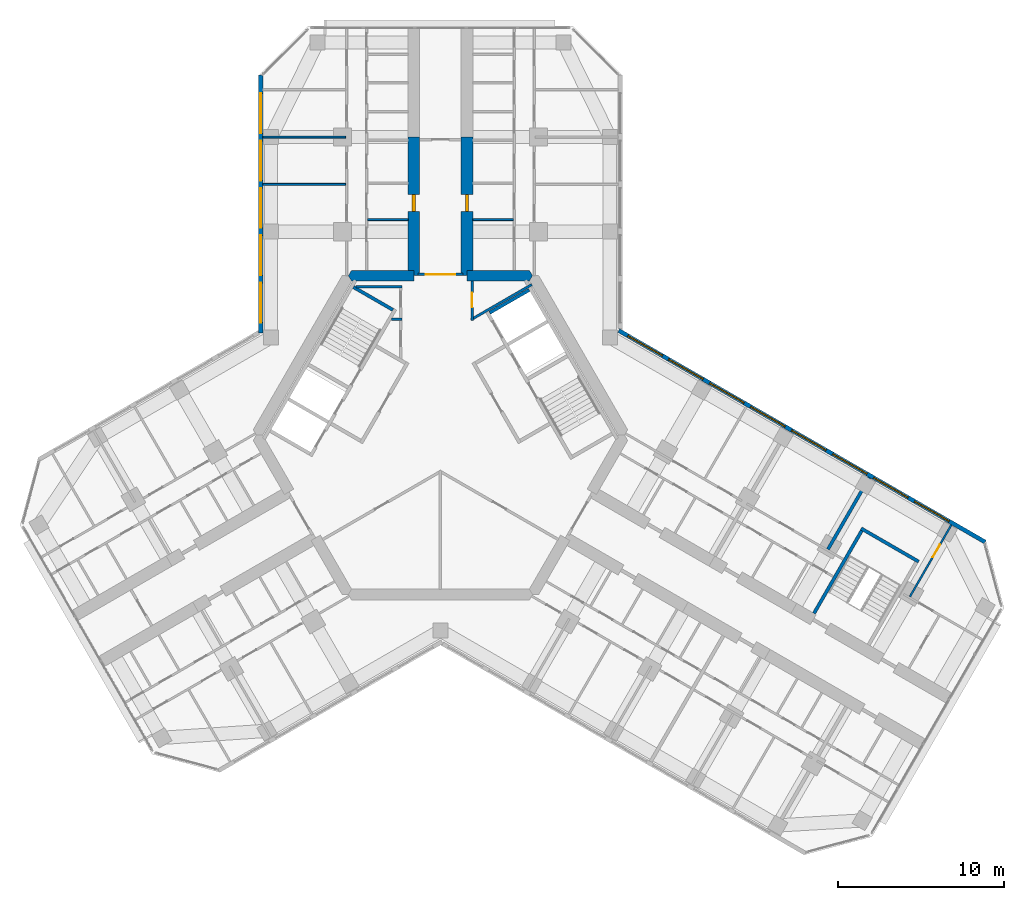
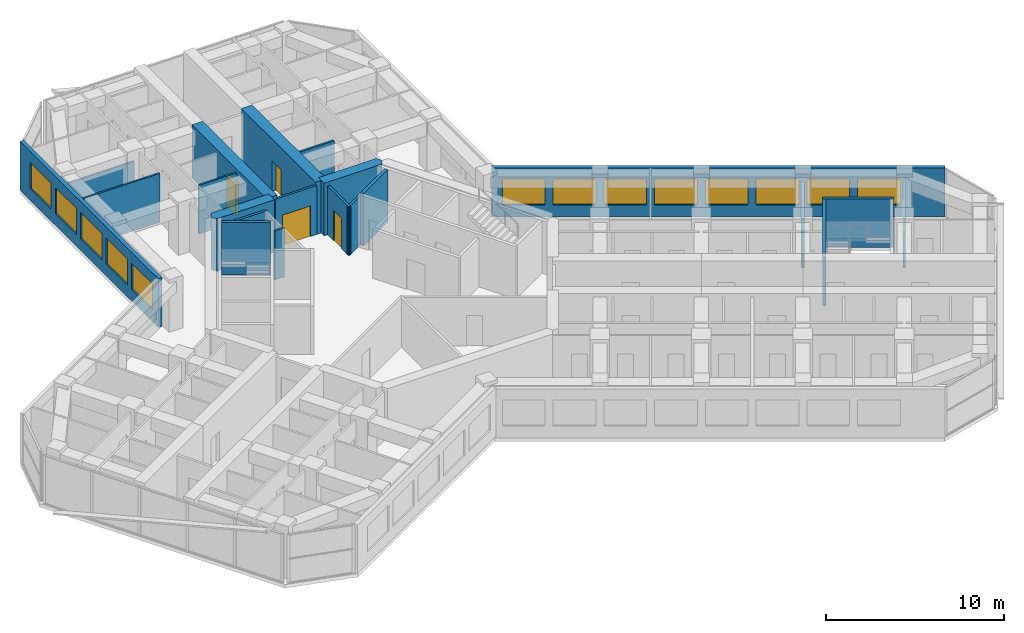
# One storey, part 13 of 16: 21 walls, 13 windows, 5 doors, 18 openings.
"""IFC4 building model written with IfcOpenShell, lengths in metres."""

from ifc_helpers import new_model, si_unit, direction, frame, frame_2d, origin, place, context, subcontext, project, spatial, polyline, rectangle, outline, extrude, material, layer, layer_set, type_object, element, fill, save


model = new_model("IFC4")

# Units and contexts
model_context = context("Model", 3, precision=1e-05, world=origin(), true_north=direction((0.0, 1.0)))
body_context = subcontext(model_context, "Body", "Model", "MODEL_VIEW")
ifc_project = project(units=[si_unit("LENGTHUNIT", "METRE"), si_unit("AREAUNIT", "SQUARE_METRE"), si_unit("VOLUMEUNIT", "CUBIC_METRE"), si_unit("PLANEANGLEUNIT", "RADIAN"), si_unit("MASSUNIT", "GRAM", prefix="KILO")], contexts=[model_context])

# Site, building, storey
site_placement = place(None, origin())
site = spatial("IfcSite", under=ifc_project, at=site_placement, CompositionType="ELEMENT")
building_placement = place(site_placement, origin())
building = spatial("IfcBuilding", under=site, at=building_placement, Name="Kosmar Iwan School Tower", CompositionType="ELEMENT")
storey_placement = place(building_placement, frame((0.0, 0.0, 208.199951171875)))
storey = spatial("IfcBuildingStorey", under=building, at=storey_placement, Name="L52", CompositionType="ELEMENT", Elevation=208.199951171875)

# Walls
ifc_material_1 = material(Name="Gypsum board on steel studs, fire-rated", Category="steel")
ifc_layer_1 = layer(ifc_material_1, 0.14990234375)
ifc_layer_set_1 = layer_set([ifc_layer_1], Name="Core room partition 150")
wall_type_1 = type_object("IfcWallType", Name="Core room partition 150", PredefinedType="PARTITIONING", material=ifc_layer_set_1)
wall_1_placement = place(storey_placement, frame((-2.324951171875, 6.985107421875, 0.0), z_axis=(0.0, 0.0, 1.0), x_axis=(-1.0, 0.0, 0.0)))
element("IfcWall", 1, at=wall_1_placement, inside=storey, type_object=wall_type_1, Name="Core room partition L52-CW2", PredefinedType="PARTITIONING", context=body_context, shape_type="SweptSolid", body=[
    extrude(rectangle(XDim=0.623779296875, YDim=0.14990234375, at=frame_2d((0.31201171875, 0.0))), origin(), (0.0, 0.0, 1.0), 3.35009765625),
])
wall_2_placement = place(storey_placement, frame((-5.089599609375, 8.93994140625, 0.0), z_axis=(0.0, 0.0, 1.0), x_axis=(1.0, 0.0, 0.0)))
element("IfcWall", 2, at=wall_2_placement, inside=storey, type_object=wall_type_1, Name="Core room partition L52-CW3", PredefinedType="PARTITIONING", context=body_context, shape_type="SweptSolid", body=[
    extrude(rectangle(XDim=2.7646484375, YDim=0.14990234375, at=frame_2d((1.38232421875, 0.0))), origin(), (0.0, 0.0, 1.0), 3.35009765625),
])
wall_3_placement = place(storey_placement, frame((5.499755859375, 9.064208984375, 0.0), z_axis=(0.0, 0.0, 1.0), x_axis=(-0.866040514841, -0.499973825969, 0.0)))
element("IfcWall", 3, at=wall_3_placement, inside=storey, type_object=wall_type_1, Name="Core room partition L52-CW8", PredefinedType="PARTITIONING", context=body_context, shape_type="SweptSolid", body=[
    extrude(rectangle(XDim=4.231689453125, YDim=0.14990234375, at=frame_2d((2.11572265625, 0.0))), origin(), (0.0, 0.0, 1.0), 3.35009765625),
])

# Wall, opening, door
wall_4_placement = place(storey_placement, frame((1.89990234375, 6.910888671875, 0.0), z_axis=(0.0, 0.0, 1.0), x_axis=(0.0, 1.0, 0.0)))
wall_4 = element("IfcWall", 4, at=wall_4_placement, inside=storey, type_object=wall_type_1, Name="Core room partition L52-CW9", PredefinedType="PARTITIONING", context=body_context, shape_type="SweptSolid", body=[
    extrude(rectangle(XDim=2.384033203125, YDim=0.14990234375, at=frame_2d((1.19189453125, 0.0))), origin(), (0.0, 0.0, 1.0), 3.35009765625),
])
opening_1_placement = place(wall_4_placement, frame((0.777099609375, 0.0, 0.0)))
opening_1 = element("IfcOpeningElement", 5, at=opening_1_placement, cuts=wall_4, Name="Opening D14", PredefinedType="OPENING", context=body_context, shape_type="SweptSolid", body=[
    extrude(rectangle(XDim=0.89990234375, YDim=2.10009765625, at=frame_2d((0.449951171875, 1.050048828125))), frame((0.0, 0.0869140625, 0.0), z_axis=(0.0, -1.0, 0.0), x_axis=(1.0, 0.0, 0.0)), (0.0, 0.0, 1.0), 0.173828125),
])
ifc_material_2 = material(Name="Timber fire door in steel frame", Category="steel")
door_type_1 = type_object("IfcDoorType", Name="Core room door 900x2100", OperationType="SINGLE_SWING_LEFT", PredefinedType="DOOR", material=ifc_material_2)
door_1_placement = place(opening_1_placement, origin())
door_1 = element("IfcDoor", 6, at=door_1_placement, inside=storey, type_object=door_type_1, Name="Cleaner's store door L52 5", OperationType="SINGLE_SWING_RIGHT", OverallHeight=2.10009765625, OverallWidth=0.89990234375, PredefinedType="DOOR", context=body_context, shape_type="SweptSolid", body=[
    extrude(rectangle(XDim=0.89990234375, YDim=2.10009765625, at=frame_2d((0.449951171875, 1.050048828125))), frame((0.0, 0.02490234375, 0.0), z_axis=(0.0, -1.0, 0.0), x_axis=(1.0, 0.0, 0.0)), (0.0, 0.0, 1.0), 0.050048828125),
])
fill(opening_1, door_1)

# Walls
ifc_material_3 = material(Name="Concrete C50/60", Category="concrete")
ifc_layer_2 = layer(ifc_material_3, 0.64990234375)
ifc_layer_set_2 = layer_set([ifc_layer_2], Name="Core wall 650")
wall_type_2 = type_object("IfcWallType", Name="Core wall 650", PredefinedType="SHEAR", material=ifc_layer_set_2)
wall_5_placement = place(storey_placement, origin())
element("IfcWall", 7, at=wall_5_placement, inside=storey, type_object=wall_type_2, Name="Core wall F090a", PredefinedType="SHEAR", context=body_context, shape_type="SweptSolid", body=[
    extrude(outline(polyline([(1.60009765625, 9.27490234375), (5.35498046875, 9.27490234375), (5.54248046875, 9.60009765625), (5.35498046875, 9.925048828125), (1.60009765625, 9.925048828125), (1.60009765625, 9.27490234375)])), origin(), (0.0, 0.0, 1.0), 3.60009765625),
])
wall_6_placement = place(storey_placement, origin())
element("IfcWall", 8, at=wall_6_placement, inside=storey, type_object=wall_type_2, Name="Core wall F090b", PredefinedType="SHEAR", context=body_context, shape_type="SweptSolid", body=[
    extrude(outline(polyline([(-5.35498046875, 9.27490234375), (-1.60009765625, 9.27490234375), (-1.60009765625, 9.925048828125), (-5.35498046875, 9.925048828125), (-5.54248046875, 9.60009765625), (-5.35498046875, 9.27490234375)])), origin(), (0.0, 0.0, 1.0), 3.60009765625),
])

# Wall, opening, door
ifc_material_4 = material(Name="Concrete C50/60", Category="concrete")
ifc_layer_3 = layer(ifc_material_4, 0.699951171875)
ifc_layer_set_3 = layer_set([ifc_layer_3], Name="Corridor buttress wall 700")
wall_type_3 = type_object("IfcWallType", Name="Corridor buttress wall 700", PredefinedType="SHEAR", material=ifc_layer_set_3)
wall_7_placement = place(storey_placement, frame((-1.60009765625, 9.60009765625, 0.0), z_axis=(0.0, 0.0, 1.0), x_axis=(0.0, 1.0, 0.0)))
wall_7 = element("IfcWall", 9, at=wall_7_placement, inside=storey, type_object=wall_type_3, Name="Corridor wall AL", PredefinedType="SHEAR", context=body_context, shape_type="SweptSolid", body=[
    extrude(rectangle(XDim=8.349853515625, YDim=0.699951171875, at=frame_2d((4.1748046875, 0.0))), origin(), (0.0, 0.0, 1.0), 3.60009765625),
])
opening_2_placement = place(wall_7_placement, frame((3.8798828125, 0.0, 0.0)))
opening_2 = element("IfcOpeningElement", 10, at=opening_2_placement, cuts=wall_7, Name="Opening D1", PredefinedType="OPENING", context=body_context, shape_type="SweptSolid", body=[
    extrude(rectangle(XDim=1.0, YDim=2.10009765625, at=frame_2d((0.5, 1.050048828125))), frame((0.0, 0.362060546875, 0.0), z_axis=(0.0, -1.0, 0.0), x_axis=(1.0, 0.0, 0.0)), (0.0, 0.0, 1.0), 0.723876953125),
])
ifc_material_5 = material(Name="Timber fire door in steel frame", Category="steel")
door_type_2 = type_object("IfcDoorType", Name="Flat entrance door 1000x2100", OperationType="SINGLE_SWING_LEFT", PredefinedType="DOOR", material=ifc_material_5)
door_2_placement = place(opening_2_placement, origin())
door_2 = element("IfcDoor", 11, at=door_2_placement, inside=storey, type_object=door_type_2, Name="Flat L52-AL1 entrance door", OperationType="SINGLE_SWING_LEFT", OverallHeight=2.10009765625, OverallWidth=1.0, PredefinedType="DOOR", context=body_context, shape_type="SweptSolid", body=[
    extrude(rectangle(XDim=1.0, YDim=2.10009765625, at=frame_2d((0.5, 1.050048828125))), frame((0.0, 0.10009765625, 0.0), z_axis=(0.0, -1.0, 0.0), x_axis=(1.0, 0.0, 0.0)), (0.0, 0.0, 1.0), 0.199951171875),
])
fill(opening_2, door_2)

wall_8_placement = place(storey_placement, frame((1.60009765625, 9.60009765625, 0.0), z_axis=(0.0, 0.0, 1.0), x_axis=(0.0, 1.0, 0.0)))
wall_8 = element("IfcWall", 12, at=wall_8_placement, inside=storey, type_object=wall_type_3, Name="Corridor wall AR", PredefinedType="SHEAR", context=body_context, shape_type="SweptSolid", body=[
    extrude(rectangle(XDim=8.349853515625, YDim=0.699951171875, at=frame_2d((4.1748046875, 0.0))), origin(), (0.0, 0.0, 1.0), 3.60009765625),
])
opening_3_placement = place(wall_8_placement, frame((3.8798828125, 0.0, 0.0)))
opening_3 = element("IfcOpeningElement", 13, at=opening_3_placement, cuts=wall_8, Name="Opening D1", PredefinedType="OPENING", context=body_context, shape_type="SweptSolid", body=[
    extrude(rectangle(XDim=1.0, YDim=2.10009765625, at=frame_2d((0.5, 1.050048828125))), frame((0.0, 0.362060546875, 0.0), z_axis=(0.0, -1.0, 0.0), x_axis=(1.0, 0.0, 0.0)), (0.0, 0.0, 1.0), 0.723876953125),
])
door_3_placement = place(opening_3_placement, origin())
door_3 = element("IfcDoor", 14, at=door_3_placement, inside=storey, type_object=door_type_2, Name="Flat L52-AR1 entrance door", OperationType="SINGLE_SWING_RIGHT", OverallHeight=2.10009765625, OverallWidth=1.0, PredefinedType="DOOR", context=body_context, shape_type="SweptSolid", body=[
    extrude(rectangle(XDim=1.0, YDim=2.10009765625, at=frame_2d((0.5, 1.050048828125))), frame((0.0, 0.10009765625, 0.0), z_axis=(0.0, -1.0, 0.0), x_axis=(1.0, 0.0, 0.0)), (0.0, 0.0, 1.0), 0.199951171875),
])
fill(opening_3, door_3)

ifc_material_6 = material(Name="Steel framed glazed screen", Category="steel")
ifc_layer_4 = layer(ifc_material_6, 0.14990234375)
ifc_layer_set_4 = layer_set([ifc_layer_4], Name="Corridor screen wall 150")
wall_type_4 = type_object("IfcWallType", Name="Corridor screen wall 150", PredefinedType="PARTITIONING", material=ifc_layer_set_4)
wall_9_placement = place(storey_placement, frame((1.35009765625, 9.675048828125, 0.0), z_axis=(0.0, 0.0, 1.0), x_axis=(-1.0, 0.0, 0.0)))
wall_9 = element("IfcWall", 15, at=wall_9_placement, inside=storey, type_object=wall_type_4, Name="Corridor screen A L52", PredefinedType="PARTITIONING", context=body_context, shape_type="SweptSolid", body=[
    extrude(rectangle(XDim=2.7001953125, YDim=0.14990234375, at=frame_2d((1.35009765625, 0.0))), origin(), (0.0, 0.0, 1.0), 3.35009765625),
])
opening_4_placement = place(wall_9_placement, frame((0.449951171875, 0.0, 0.0)))
opening_4 = element("IfcOpeningElement", 16, at=opening_4_placement, cuts=wall_9, Name="Opening D9", PredefinedType="OPENING", context=body_context, shape_type="SweptSolid", body=[
    extrude(rectangle(XDim=1.800048828125, YDim=2.10009765625, at=frame_2d((0.89990234375, 1.050048828125))), frame((0.0, 0.0869140625, 0.0), z_axis=(0.0, -1.0, 0.0), x_axis=(1.0, 0.0, 0.0)), (0.0, 0.0, 1.0), 0.173828125),
])
ifc_material_7 = material(Name="Steel framed glazed smoke door", Category="steel")
door_type_3 = type_object("IfcDoorType", Name="Corridor smoke door pair 1800x2100", OperationType="DOUBLE_DOOR_DOUBLE_SWING", PredefinedType="DOOR", material=ifc_material_7)
door_4_placement = place(opening_4_placement, origin())
door_4 = element("IfcDoor", 17, at=door_4_placement, inside=storey, type_object=door_type_3, Name="Corridor doors A L52", OperationType="DOUBLE_DOOR_DOUBLE_SWING", OverallHeight=2.10009765625, OverallWidth=1.800048828125, PredefinedType="DOOR", context=body_context, shape_type="SweptSolid", body=[
    extrude(rectangle(XDim=1.800048828125, YDim=2.10009765625, at=frame_2d((0.89990234375, 1.050048828125))), frame((0.0, 0.02490234375, 0.0), z_axis=(0.0, -1.0, 0.0), x_axis=(1.0, 0.0, 0.0)), (0.0, 0.0, 1.0), 0.050048828125),
])
fill(opening_4, door_4)

# Walls
ifc_material_8 = material(Name="Gypsum board on steel studs", Category="steel")
ifc_layer_5 = layer(ifc_material_8, 0.1201171875)
ifc_layer_set_5 = layer_set([ifc_layer_5], Name="Dwelling partition 120")
wall_type_5 = type_object("IfcWallType", Name="Dwelling partition 120", PredefinedType="PARTITIONING", material=ifc_layer_set_5)
wall_10_placement = place(storey_placement, frame((-5.7099609375, 15.10009765625, 0.0), z_axis=(0.0, 0.0, 1.0), x_axis=(-1.0, 0.0, 0.0)))
element("IfcWall", 18, at=wall_10_placement, inside=storey, type_object=wall_type_5, Name="Partition L52-AL1-X1", PredefinedType="PARTITIONING", context=body_context, shape_type="SweptSolid", body=[
    extrude(rectangle(XDim=4.989990234375, YDim=0.1201171875, at=frame_2d((2.4951171875, 0.0))), origin(), (0.0, 0.0, 1.0), 3.35009765625),
])
wall_11_placement = place(storey_placement, frame((-5.7099609375, 17.949951171875, 0.0), z_axis=(0.0, 0.0, 1.0), x_axis=(-1.0, 0.0, 0.0)))
element("IfcWall", 19, at=wall_11_placement, inside=storey, type_object=wall_type_5, Name="Partition L52-AL1-X2", PredefinedType="PARTITIONING", context=body_context, shape_type="SweptSolid", body=[
    extrude(rectangle(XDim=4.989990234375, YDim=0.1201171875, at=frame_2d((2.4951171875, 0.0))), origin(), (0.0, 0.0, 1.0), 2.449951171875),
])
for number, where, z_axis, x_axis, name in (
    (20, (-1.949951171875, 12.97998046875, 0.0), (0.0, 0.0, 1.0), (-1.0, 0.0, 0.0), "Partition L52-AL1-Y1"),
    (21, (1.949951171875, 12.97998046875, 0.0), (0.0, 0.0, 1.0), (1.0, 0.0, 0.0), "Partition L52-AR1-Y1"),
):
    element("IfcWall", number, at=place(storey_placement, frame(where, z_axis=z_axis, x_axis=x_axis)), inside=storey, type_object=wall_type_5, Name=name, PredefinedType="PARTITIONING", context=body_context, shape_type="SweptSolid", body=[
        extrude(rectangle(XDim=2.43994140625, YDim=0.1201171875, at=frame_2d((1.219970703125, 0.0))), origin(), (0.0, 0.0, 1.0), 3.35009765625),
    ])

# Wall, opening, door
wall_12_placement = place(storey_placement, frame((28.27294921875, -9.72998046875, 0.0), z_axis=(0.0, 0.0, 1.0), x_axis=(0.499975153383, 0.86603974851, 0.0)))
wall_12 = element("IfcWall", 22, at=wall_12_placement, inside=storey, type_object=wall_type_5, Name="Partition L52-CL3-TX", PredefinedType="PARTITIONING", context=body_context, shape_type="SweptSolid", body=[
    extrude(rectangle(XDim=4.989990234375, YDim=0.1201171875, at=frame_2d((2.4951171875, 0.0))), origin(), (0.0, 0.0, 1.0), 2.449951171875),
])
opening_5_placement = place(wall_12_placement, frame((2.739990234375, 0.0, 0.0)))
opening_5 = element("IfcOpeningElement", 23, at=opening_5_placement, cuts=wall_12, Name="Opening D2", PredefinedType="OPENING", context=body_context, shape_type="SweptSolid", body=[
    extrude(rectangle(XDim=0.89990234375, YDim=2.10009765625, at=frame_2d((0.449951171875, 1.050048828125))), frame((0.0, 0.072021484375, 0.0), z_axis=(0.0, -1.0, 0.0), x_axis=(1.0, 0.0, 0.0)), (0.0, 0.0, 1.0), 0.14404296875),
])
ifc_material_9 = material(Name="Timber door in timber frame", Category="wood")
door_type_4 = type_object("IfcDoorType", Name="Internal door 900x2100", OperationType="SINGLE_SWING_LEFT", PredefinedType="DOOR", material=ifc_material_9)
door_5_placement = place(opening_5_placement, origin())
door_5 = element("IfcDoor", 24, at=door_5_placement, inside=storey, type_object=door_type_4, Name="Bedroom 1 door L52-CL3-T1", OperationType="SINGLE_SWING_RIGHT", OverallHeight=2.10009765625, OverallWidth=0.89990234375, PredefinedType="DOOR", context=body_context, shape_type="SweptSolid", body=[
    extrude(rectangle(XDim=0.89990234375, YDim=2.10009765625, at=frame_2d((0.449951171875, 1.050048828125))), frame((0.0, 0.02490234375, 0.0), z_axis=(0.0, -1.0, 0.0), x_axis=(1.0, 0.0, 0.0)), (0.0, 0.0, 1.0), 0.050048828125),
])
fill(opening_5, door_5)

# Walls
ifc_material_10 = material(Name="Concrete C35/45", Category="concrete")
ifc_layer_6 = layer(ifc_material_10, 0.199951171875)
ifc_layer_set_6 = layer_set([ifc_layer_6], Name="Escape stair wall 200")
wall_type_6 = type_object("IfcWallType", Name="Escape stair wall 200", PredefinedType="SHEAR", material=ifc_layer_set_6)
wall_13_placement = place(storey_placement, frame((22.49560546875, -10.736328125, 0.0), z_axis=(0.0, 0.0, 1.0), x_axis=(0.500013701029, 0.866017493347, 0.0)))
element("IfcWall", 25, at=wall_13_placement, inside=storey, type_object=wall_type_6, Name="Stair WS3 wall", PredefinedType="SHEAR", context=body_context, shape_type="SweptSolid", body=[
    extrude(rectangle(XDim=5.949951171875, YDim=0.199951171875, at=frame_2d((2.97509765625, 0.0))), origin(), (0.0, 0.0, 1.0), 3.330078125),
])
wall_14_placement = place(storey_placement, frame((25.334228515625, -5.6201171875, 0.0), z_axis=(0.0, 0.0, 1.0), x_axis=(0.866026010844, -0.49999894854, 0.0)))
element("IfcWall", 26, at=wall_14_placement, inside=storey, type_object=wall_type_6, Name="Stair WS3 wall", PredefinedType="SHEAR", context=body_context, shape_type="SweptSolid", body=[
    extrude(rectangle(XDim=4.0, YDim=0.199951171875, at=frame_2d((2.0, 0.0))), origin(), (0.0, 0.0, 1.0), 3.330078125),
])

# Wall, openings, windows
ifc_material_11 = material(Name="Black aluminium rainscreen on insulated framing", Category="aluminium")
ifc_layer_7 = layer(ifc_material_11, 0.25)
ifc_layer_set_7 = layer_set([ifc_layer_7], Name="External wall rainscreen 250")
wall_type_7 = type_object("IfcWallType", Name="External wall rainscreen 250", PredefinedType="SOLIDWALL", material=ifc_layer_set_7)
wall_15_placement = place(storey_placement, frame((10.73681640625, 6.30078125, 0.0), z_axis=(0.0, 0.0, 1.0), x_axis=(0.866026390279, -0.499998291337, 0.0)))
wall_15 = element("IfcWall", 27, at=wall_15_placement, inside=storey, type_object=wall_type_7, Name="External wall CL L52", PredefinedType="SOLIDWALL", context=body_context, shape_type="SweptSolid", body=[
    extrude(rectangle(XDim=25.4873046875, YDim=0.25, at=frame_2d((12.74365234375, 0.0))), origin(), (0.0, 0.0, 1.0), 3.35009765625),
])
opening_6_placement = place(wall_15_placement, frame((0.626953125, 0.0, 0.800048828125)))
opening_6 = element("IfcOpeningElement", 28, at=opening_6_placement, cuts=wall_15, Name="Opening W5", PredefinedType="OPENING", context=body_context, shape_type="SweptSolid", body=[
    extrude(rectangle(XDim=2.39990234375, YDim=1.800048828125, at=frame_2d((1.199951171875, 0.89990234375))), frame((0.0, 0.136962890625, 0.0), z_axis=(0.0, -1.0, 0.0), x_axis=(1.0, 0.0, 0.0)), (0.0, 0.0, 1.0), 0.27392578125),
])
opening_7_placement = place(wall_15_placement, frame((3.47705078125, 0.0, 0.800048828125)))
opening_7 = element("IfcOpeningElement", 29, at=opening_7_placement, cuts=wall_15, Name="Opening W5", PredefinedType="OPENING", context=body_context, shape_type="SweptSolid", body=[
    extrude(rectangle(XDim=2.39990234375, YDim=1.800048828125, at=frame_2d((1.199951171875, 0.89990234375))), frame((0.0, 0.136962890625, 0.0), z_axis=(0.0, -1.0, 0.0), x_axis=(1.0, 0.0, 0.0)), (0.0, 0.0, 1.0), 0.27392578125),
])
opening_8_placement = place(wall_15_placement, frame((6.326904296875, 0.0, 0.800048828125)))
opening_8 = element("IfcOpeningElement", 30, at=opening_8_placement, cuts=wall_15, Name="Opening W5", PredefinedType="OPENING", context=body_context, shape_type="SweptSolid", body=[
    extrude(rectangle(XDim=2.39990234375, YDim=1.800048828125, at=frame_2d((1.199951171875, 0.89990234375))), frame((0.0, 0.136962890625, 0.0), z_axis=(0.0, -1.0, 0.0), x_axis=(1.0, 0.0, 0.0)), (0.0, 0.0, 1.0), 0.27392578125),
])
opening_9_placement = place(wall_15_placement, frame((9.177001953125, 0.0, 0.800048828125)))
opening_9 = element("IfcOpeningElement", 31, at=opening_9_placement, cuts=wall_15, Name="Opening W5", PredefinedType="OPENING", context=body_context, shape_type="SweptSolid", body=[
    extrude(rectangle(XDim=2.39990234375, YDim=1.800048828125, at=frame_2d((1.199951171875, 0.89990234375))), frame((0.0, 0.136962890625, 0.0), z_axis=(0.0, -1.0, 0.0), x_axis=(1.0, 0.0, 0.0)), (0.0, 0.0, 1.0), 0.27392578125),
])
opening_10_placement = place(wall_15_placement, frame((12.027099609375, 0.0, 0.800048828125)))
opening_10 = element("IfcOpeningElement", 32, at=opening_10_placement, cuts=wall_15, Name="Opening W5", PredefinedType="OPENING", context=body_context, shape_type="SweptSolid", body=[
    extrude(rectangle(XDim=2.39990234375, YDim=1.800048828125, at=frame_2d((1.199951171875, 0.89990234375))), frame((0.0, 0.136962890625, 0.0), z_axis=(0.0, -1.0, 0.0), x_axis=(1.0, 0.0, 0.0)), (0.0, 0.0, 1.0), 0.27392578125),
])
opening_11_placement = place(wall_15_placement, frame((14.876953125, 0.0, 0.800048828125)))
opening_11 = element("IfcOpeningElement", 33, at=opening_11_placement, cuts=wall_15, Name="Opening W5", PredefinedType="OPENING", context=body_context, shape_type="SweptSolid", body=[
    extrude(rectangle(XDim=2.39990234375, YDim=1.800048828125, at=frame_2d((1.199951171875, 0.89990234375))), frame((0.0, 0.136962890625, 0.0), z_axis=(0.0, -1.0, 0.0), x_axis=(1.0, 0.0, 0.0)), (0.0, 0.0, 1.0), 0.27392578125),
])
opening_12_placement = place(wall_15_placement, frame((17.72705078125, 0.0, 0.800048828125)))
opening_12 = element("IfcOpeningElement", 34, at=opening_12_placement, cuts=wall_15, Name="Opening W5", PredefinedType="OPENING", context=body_context, shape_type="SweptSolid", body=[
    extrude(rectangle(XDim=2.39990234375, YDim=1.800048828125, at=frame_2d((1.199951171875, 0.89990234375))), frame((0.0, 0.136962890625, 0.0), z_axis=(0.0, -1.0, 0.0), x_axis=(1.0, 0.0, 0.0)), (0.0, 0.0, 1.0), 0.27392578125),
])
opening_13_placement = place(wall_15_placement, frame((20.576904296875, 0.0, 0.800048828125)))
opening_13 = element("IfcOpeningElement", 35, at=opening_13_placement, cuts=wall_15, Name="Opening W5", PredefinedType="OPENING", context=body_context, shape_type="SweptSolid", body=[
    extrude(rectangle(XDim=2.39990234375, YDim=1.800048828125, at=frame_2d((1.199951171875, 0.89990234375))), frame((0.0, 0.136962890625, 0.0), z_axis=(0.0, -1.0, 0.0), x_axis=(1.0, 0.0, 0.0)), (0.0, 0.0, 1.0), 0.27392578125),
])
ifc_material_12 = material(Name="Black aluminium frame with dark triple glazing", Category="aluminium")
window_type = type_object("IfcWindowType", Name="Window 2400x1800", PartitioningType="SINGLE_PANEL", PredefinedType="WINDOW", material=ifc_material_12)
window_1_placement = place(opening_6_placement, origin())
window_1 = element("IfcWindow", 36, at=window_1_placement, inside=storey, type_object=window_type, Name="Window CL L52 -1", OverallHeight=1.800048828125, OverallWidth=2.39990234375, PartitioningType="SINGLE_PANEL", PredefinedType="WINDOW", context=body_context, shape_type="SweptSolid", body=[
    extrude(rectangle(XDim=2.39990234375, YDim=1.800048828125, at=frame_2d((1.199951171875, 0.89990234375))), frame((0.0, 0.030029296875, 0.0), z_axis=(0.0, -1.0, 0.0), x_axis=(1.0, 0.0, 0.0)), (0.0, 0.0, 1.0), 0.06005859375),
])
fill(opening_6, window_1)
window_2_placement = place(opening_7_placement, origin())
window_2 = element("IfcWindow", 37, at=window_2_placement, inside=storey, type_object=window_type, Name="Window CL L52 0", OverallHeight=1.800048828125, OverallWidth=2.39990234375, PartitioningType="SINGLE_PANEL", PredefinedType="WINDOW", context=body_context, shape_type="SweptSolid", body=[
    extrude(rectangle(XDim=2.39990234375, YDim=1.800048828125, at=frame_2d((1.199951171875, 0.89990234375))), frame((0.0, 0.030029296875, 0.0), z_axis=(0.0, -1.0, 0.0), x_axis=(1.0, 0.0, 0.0)), (0.0, 0.0, 1.0), 0.06005859375),
])
fill(opening_7, window_2)
window_3_placement = place(opening_8_placement, origin())
window_3 = element("IfcWindow", 38, at=window_3_placement, inside=storey, type_object=window_type, Name="Window CL L52 1", OverallHeight=1.800048828125, OverallWidth=2.39990234375, PartitioningType="SINGLE_PANEL", PredefinedType="WINDOW", context=body_context, shape_type="SweptSolid", body=[
    extrude(rectangle(XDim=2.39990234375, YDim=1.800048828125, at=frame_2d((1.199951171875, 0.89990234375))), frame((0.0, 0.030029296875, 0.0), z_axis=(0.0, -1.0, 0.0), x_axis=(1.0, 0.0, 0.0)), (0.0, 0.0, 1.0), 0.06005859375),
])
fill(opening_8, window_3)
window_4_placement = place(opening_9_placement, origin())
window_4 = element("IfcWindow", 39, at=window_4_placement, inside=storey, type_object=window_type, Name="Window CL L52 2", OverallHeight=1.800048828125, OverallWidth=2.39990234375, PartitioningType="SINGLE_PANEL", PredefinedType="WINDOW", context=body_context, shape_type="SweptSolid", body=[
    extrude(rectangle(XDim=2.39990234375, YDim=1.800048828125, at=frame_2d((1.199951171875, 0.89990234375))), frame((0.0, 0.030029296875, 0.0), z_axis=(0.0, -1.0, 0.0), x_axis=(1.0, 0.0, 0.0)), (0.0, 0.0, 1.0), 0.06005859375),
])
fill(opening_9, window_4)
window_5_placement = place(opening_10_placement, origin())
window_5 = element("IfcWindow", 40, at=window_5_placement, inside=storey, type_object=window_type, Name="Window CL L52 3", OverallHeight=1.800048828125, OverallWidth=2.39990234375, PartitioningType="SINGLE_PANEL", PredefinedType="WINDOW", context=body_context, shape_type="SweptSolid", body=[
    extrude(rectangle(XDim=2.39990234375, YDim=1.800048828125, at=frame_2d((1.199951171875, 0.89990234375))), frame((0.0, 0.030029296875, 0.0), z_axis=(0.0, -1.0, 0.0), x_axis=(1.0, 0.0, 0.0)), (0.0, 0.0, 1.0), 0.06005859375),
])
fill(opening_10, window_5)
window_6_placement = place(opening_11_placement, origin())
window_6 = element("IfcWindow", 41, at=window_6_placement, inside=storey, type_object=window_type, Name="Window CL L52 4", OverallHeight=1.800048828125, OverallWidth=2.39990234375, PartitioningType="SINGLE_PANEL", PredefinedType="WINDOW", context=body_context, shape_type="SweptSolid", body=[
    extrude(rectangle(XDim=2.39990234375, YDim=1.800048828125, at=frame_2d((1.199951171875, 0.89990234375))), frame((0.0, 0.030029296875, 0.0), z_axis=(0.0, -1.0, 0.0), x_axis=(1.0, 0.0, 0.0)), (0.0, 0.0, 1.0), 0.06005859375),
])
fill(opening_11, window_6)
window_7_placement = place(opening_12_placement, origin())
window_7 = element("IfcWindow", 42, at=window_7_placement, inside=storey, type_object=window_type, Name="Window CL L52 5", OverallHeight=1.800048828125, OverallWidth=2.39990234375, PartitioningType="SINGLE_PANEL", PredefinedType="WINDOW", context=body_context, shape_type="SweptSolid", body=[
    extrude(rectangle(XDim=2.39990234375, YDim=1.800048828125, at=frame_2d((1.199951171875, 0.89990234375))), frame((0.0, 0.030029296875, 0.0), z_axis=(0.0, -1.0, 0.0), x_axis=(1.0, 0.0, 0.0)), (0.0, 0.0, 1.0), 0.06005859375),
])
fill(opening_12, window_7)
window_8_placement = place(opening_13_placement, origin())
window_8 = element("IfcWindow", 43, at=window_8_placement, inside=storey, type_object=window_type, Name="Window CL L52 6", OverallHeight=1.800048828125, OverallWidth=2.39990234375, PartitioningType="SINGLE_PANEL", PredefinedType="WINDOW", context=body_context, shape_type="SweptSolid", body=[
    extrude(rectangle(XDim=2.39990234375, YDim=1.800048828125, at=frame_2d((1.199951171875, 0.89990234375))), frame((0.0, 0.030029296875, 0.0), z_axis=(0.0, -1.0, 0.0), x_axis=(1.0, 0.0, 0.0)), (0.0, 0.0, 1.0), 0.06005859375),
])
fill(opening_13, window_8)

wall_16_placement = place(storey_placement, frame((-10.824951171875, 6.14794921875, 0.0), z_axis=(0.0, 0.0, 1.0), x_axis=(0.0, 1.0, 0.0)))
wall_16 = element("IfcWall", 44, at=wall_16_placement, inside=storey, type_object=wall_type_7, Name="External wall AL L52", PredefinedType="SOLIDWALL", context=body_context, shape_type="SweptSolid", body=[
    extrude(rectangle(XDim=15.537353515625, YDim=0.25, at=frame_2d((7.7685546875, 0.0))), origin(), (0.0, 0.0, 1.0), 3.35009765625),
])
opening_14_placement = place(wall_16_placement, frame((0.626953125, 0.0, 0.800048828125)))
opening_14 = element("IfcOpeningElement", 45, at=opening_14_placement, cuts=wall_16, Name="Opening W5", PredefinedType="OPENING", context=body_context, shape_type="SweptSolid", body=[
    extrude(rectangle(XDim=2.39990234375, YDim=1.800048828125, at=frame_2d((1.199951171875, 0.89990234375))), frame((0.0, 0.136962890625, 0.0), z_axis=(0.0, -1.0, 0.0), x_axis=(1.0, 0.0, 0.0)), (0.0, 0.0, 1.0), 0.27392578125),
])
opening_15_placement = place(wall_16_placement, frame((3.47705078125, 0.0, 0.800048828125)))
opening_15 = element("IfcOpeningElement", 46, at=opening_15_placement, cuts=wall_16, Name="Opening W5", PredefinedType="OPENING", context=body_context, shape_type="SweptSolid", body=[
    extrude(rectangle(XDim=2.39990234375, YDim=1.800048828125, at=frame_2d((1.199951171875, 0.89990234375))), frame((0.0, 0.136962890625, 0.0), z_axis=(0.0, -1.0, 0.0), x_axis=(1.0, 0.0, 0.0)), (0.0, 0.0, 1.0), 0.27392578125),
])
opening_16_placement = place(wall_16_placement, frame((6.326904296875, 0.0, 0.800048828125)))
opening_16 = element("IfcOpeningElement", 47, at=opening_16_placement, cuts=wall_16, Name="Opening W5", PredefinedType="OPENING", context=body_context, shape_type="SweptSolid", body=[
    extrude(rectangle(XDim=2.39990234375, YDim=1.800048828125, at=frame_2d((1.199951171875, 0.89990234375))), frame((0.0, 0.136962890625, 0.0), z_axis=(0.0, -1.0, 0.0), x_axis=(1.0, 0.0, 0.0)), (0.0, 0.0, 1.0), 0.27392578125),
])
opening_17_placement = place(wall_16_placement, frame((9.177001953125, 0.0, 0.800048828125)))
opening_17 = element("IfcOpeningElement", 48, at=opening_17_placement, cuts=wall_16, Name="Opening W5", PredefinedType="OPENING", context=body_context, shape_type="SweptSolid", body=[
    extrude(rectangle(XDim=2.39990234375, YDim=1.800048828125, at=frame_2d((1.199951171875, 0.89990234375))), frame((0.0, 0.136962890625, 0.0), z_axis=(0.0, -1.0, 0.0), x_axis=(1.0, 0.0, 0.0)), (0.0, 0.0, 1.0), 0.27392578125),
])
opening_18_placement = place(wall_16_placement, frame((12.027099609375, 0.0, 0.800048828125)))
opening_18 = element("IfcOpeningElement", 49, at=opening_18_placement, cuts=wall_16, Name="Opening W5", PredefinedType="OPENING", context=body_context, shape_type="SweptSolid", body=[
    extrude(rectangle(XDim=2.39990234375, YDim=1.800048828125, at=frame_2d((1.199951171875, 0.89990234375))), frame((0.0, 0.136962890625, 0.0), z_axis=(0.0, -1.0, 0.0), x_axis=(1.0, 0.0, 0.0)), (0.0, 0.0, 1.0), 0.27392578125),
])
window_9_placement = place(opening_14_placement, origin())
window_9 = element("IfcWindow", 50, at=window_9_placement, inside=storey, type_object=window_type, Name="Window AL L52 -1", OverallHeight=1.800048828125, OverallWidth=2.39990234375, PartitioningType="SINGLE_PANEL", PredefinedType="WINDOW", context=body_context, shape_type="SweptSolid", body=[
    extrude(rectangle(XDim=2.39990234375, YDim=1.800048828125, at=frame_2d((1.199951171875, 0.89990234375))), frame((0.0, 0.030029296875, 0.0), z_axis=(0.0, -1.0, 0.0), x_axis=(1.0, 0.0, 0.0)), (0.0, 0.0, 1.0), 0.06005859375),
])
fill(opening_14, window_9)
window_10_placement = place(opening_15_placement, origin())
window_10 = element("IfcWindow", 51, at=window_10_placement, inside=storey, type_object=window_type, Name="Window AL L52 0", OverallHeight=1.800048828125, OverallWidth=2.39990234375, PartitioningType="SINGLE_PANEL", PredefinedType="WINDOW", context=body_context, shape_type="SweptSolid", body=[
    extrude(rectangle(XDim=2.39990234375, YDim=1.800048828125, at=frame_2d((1.199951171875, 0.89990234375))), frame((0.0, 0.030029296875, 0.0), z_axis=(0.0, -1.0, 0.0), x_axis=(1.0, 0.0, 0.0)), (0.0, 0.0, 1.0), 0.06005859375),
])
fill(opening_15, window_10)
window_11_placement = place(opening_16_placement, origin())
window_11 = element("IfcWindow", 52, at=window_11_placement, inside=storey, type_object=window_type, Name="Window AL L52 1", OverallHeight=1.800048828125, OverallWidth=2.39990234375, PartitioningType="SINGLE_PANEL", PredefinedType="WINDOW", context=body_context, shape_type="SweptSolid", body=[
    extrude(rectangle(XDim=2.39990234375, YDim=1.800048828125, at=frame_2d((1.199951171875, 0.89990234375))), frame((0.0, 0.030029296875, 0.0), z_axis=(0.0, -1.0, 0.0), x_axis=(1.0, 0.0, 0.0)), (0.0, 0.0, 1.0), 0.06005859375),
])
fill(opening_16, window_11)
window_12_placement = place(opening_17_placement, origin())
window_12 = element("IfcWindow", 53, at=window_12_placement, inside=storey, type_object=window_type, Name="Window AL L52 2", OverallHeight=1.800048828125, OverallWidth=2.39990234375, PartitioningType="SINGLE_PANEL", PredefinedType="WINDOW", context=body_context, shape_type="SweptSolid", body=[
    extrude(rectangle(XDim=2.39990234375, YDim=1.800048828125, at=frame_2d((1.199951171875, 0.89990234375))), frame((0.0, 0.030029296875, 0.0), z_axis=(0.0, -1.0, 0.0), x_axis=(1.0, 0.0, 0.0)), (0.0, 0.0, 1.0), 0.06005859375),
])
fill(opening_17, window_12)
window_13_placement = place(opening_18_placement, origin())
window_13 = element("IfcWindow", 54, at=window_13_placement, inside=storey, type_object=window_type, Name="Window AL L52 3", OverallHeight=1.800048828125, OverallWidth=2.39990234375, PartitioningType="SINGLE_PANEL", PredefinedType="WINDOW", context=body_context, shape_type="SweptSolid", body=[
    extrude(rectangle(XDim=2.39990234375, YDim=1.800048828125, at=frame_2d((1.199951171875, 0.89990234375))), frame((0.0, 0.030029296875, 0.0), z_axis=(0.0, -1.0, 0.0), x_axis=(1.0, 0.0, 0.0)), (0.0, 0.0, 1.0), 0.06005859375),
])
fill(opening_18, window_13)

# Walls
ifc_material_13 = material(Name="Concrete C50/60", Category="concrete")
ifc_layer_8 = layer(ifc_material_13, 0.199951171875)
ifc_layer_set_8 = layer_set([ifc_layer_8], Name="Lift shaft wall 200")
wall_type_8 = type_object("IfcWallType", Name="Lift shaft wall 200", PredefinedType="SHEAR", material=ifc_layer_set_8)
wall_17_placement = place(storey_placement, frame((2.962646484375, 7.368408203125, 0.0), z_axis=(0.0, 0.0, 1.0), x_axis=(0.866027397988, 0.499996545922, 0.0)))
element("IfcWall", 55, at=wall_17_placement, inside=storey, type_object=wall_type_8, Name="Lift shaft wall AC 2", PredefinedType="SHEAR", context=body_context, shape_type="SweptSolid", body=[
    extrude(rectangle(XDim=2.75, YDim=0.199951171875, at=frame_2d((1.375, 0.0))), origin(), (0.0, 0.0, 1.0), 3.60009765625),
])
ifc_material_14 = material(Name="Concrete block masonry", Category="masonry")
ifc_layer_9 = layer(ifc_material_14, 0.199951171875)
ifc_layer_set_9 = layer_set([ifc_layer_9], Name="Party wall 200")
wall_type_9 = type_object("IfcWallType", Name="Party wall 200", PredefinedType="PARTITIONING", material=ifc_layer_set_9)
wall_18_placement = place(storey_placement, frame((23.33642578125, -6.8798828125, 0.0), z_axis=(0.0, 0.0, 1.0), x_axis=(0.500033033937, 0.866006330792, 0.0)))
element("IfcWall", 56, at=wall_18_placement, inside=storey, type_object=wall_type_9, Name="Partition L52-CL3-TB", PredefinedType="PARTITIONING", context=body_context, shape_type="SweptSolid", body=[
    extrude(rectangle(XDim=4.989990234375, YDim=0.199951171875, at=frame_2d((2.4951171875, 0.0))), origin(), (0.0, 0.0, 1.0), 2.449951171875),
])
ifc_material_15 = material(Name="Concrete C50/60", Category="concrete")
ifc_layer_10 = layer(ifc_material_15, 0.199951171875)
ifc_layer_set_10 = layer_set([ifc_layer_10], Name="Stair enclosure wall 200")
wall_type_10 = type_object("IfcWallType", Name="Stair enclosure wall 200", PredefinedType="SHEAR", material=ifc_layer_set_10)
wall_19_placement = place(storey_placement, frame((-2.862548828125, 7.541748046875, 0.0), z_axis=(0.0, 0.0, 1.0), x_axis=(-0.866027397988, 0.499996545922, 0.0)))
element("IfcWall", 57, at=wall_19_placement, inside=storey, type_object=wall_type_10, Name="Stair ST2 wall", PredefinedType="SHEAR", context=body_context, shape_type="SweptSolid", body=[
    extrude(rectangle(XDim=2.75, YDim=0.199951171875, at=frame_2d((1.375, 0.0))), origin(), (0.0, 0.0, 1.0), 3.60009765625),
])

save(model, "model.ifc")
